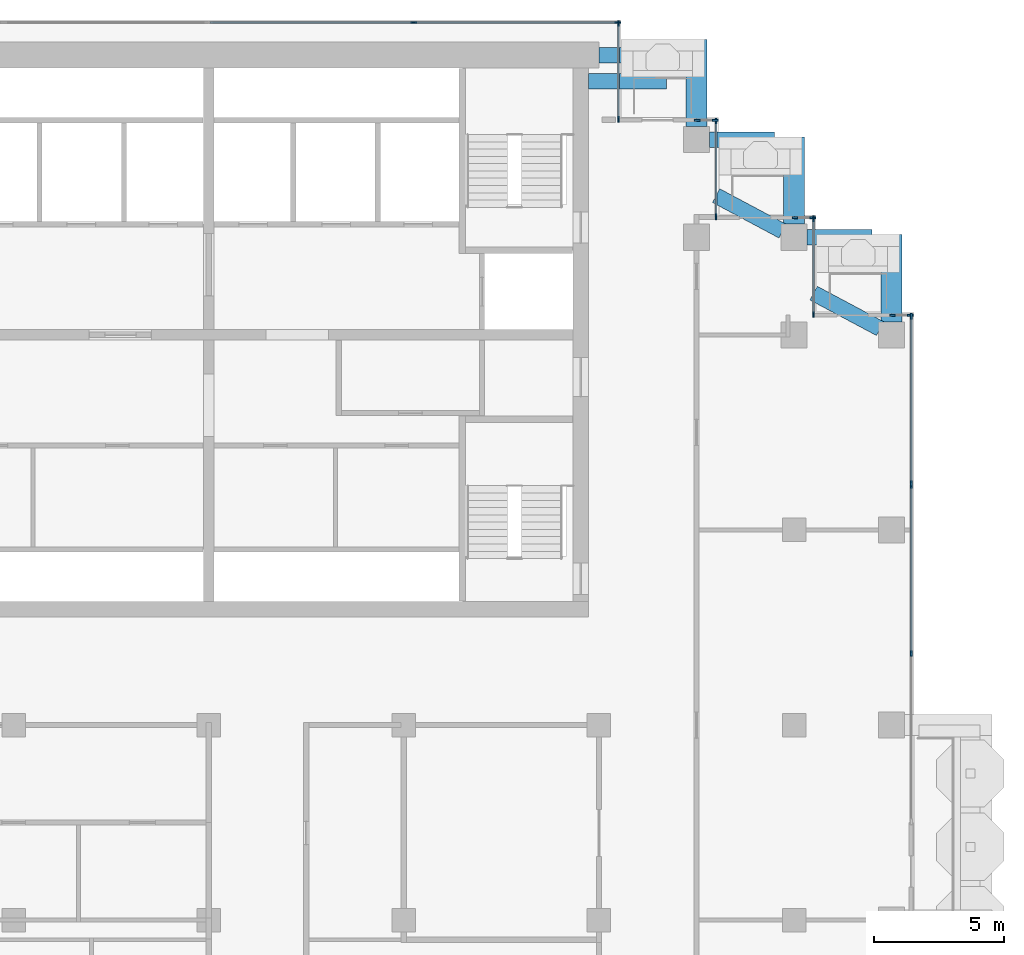
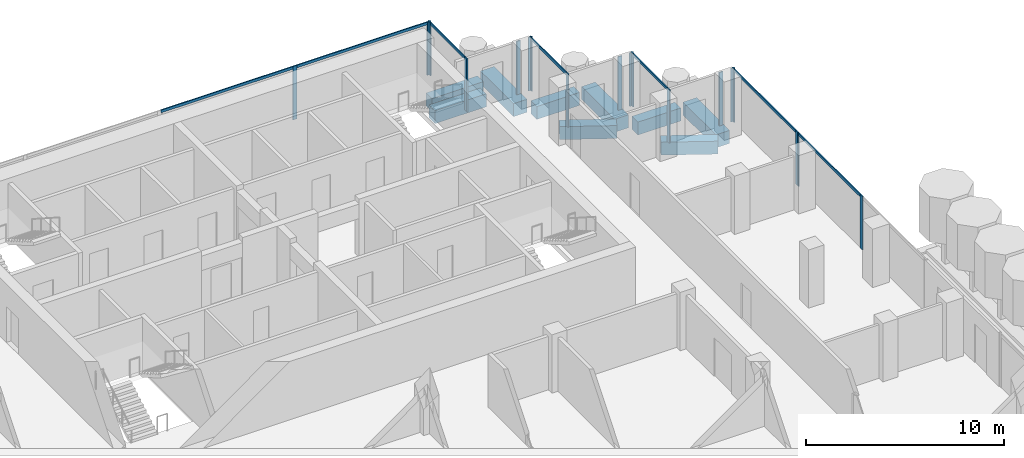
# One storey, part 6 of 18: 25 members, 9 beams, 9 elements without a shape of their own.
"""IFC4 building model written with IfcOpenShell, lengths in metres."""

from ifc_helpers import new_model, si_unit, direction, frame, origin, origin_2d, place, context, subcontext, project, spatial, rectangle, extrude, material, material_profile, profile_set, type_object, element, aggregate, save


model = new_model("IFC4")

# Units and contexts
model_context = context("Model", 3, precision=1e-05, world=origin(), true_north=direction((0.0, 1.0)))
body_context = subcontext(model_context, "Body", "Model", "MODEL_VIEW")
ifc_project = project(units=[si_unit("LENGTHUNIT", "METRE"), si_unit("AREAUNIT", "SQUARE_METRE"), si_unit("VOLUMEUNIT", "CUBIC_METRE"), si_unit("PLANEANGLEUNIT", "RADIAN"), si_unit("MASSUNIT", "GRAM", prefix="KILO")], contexts=[model_context])

# Site, building, storey
site_placement = place(None, origin())
site = spatial("IfcSite", under=ifc_project, at=site_placement, CompositionType="ELEMENT")
building_placement = place(site_placement, origin())
building = spatial("IfcBuilding", under=site, at=building_placement, Name="Pilkhan Gate Tower", CompositionType="ELEMENT")
storey_placement = place(building_placement, frame((0.0, 0.0, 199.5)))
storey = spatial("IfcBuildingStorey", under=building, at=storey_placement, Name="L51", CompositionType="ELEMENT", Elevation=199.5)

# Beams
ifc_material_1 = material(Name="Concrete C50/60", Category="concrete")
ifc_material_profile_1 = material_profile(ifc_material_1, rectangle(XDim=0.60009765625, YDim=0.800048828125, at=origin_2d()), Name="RC 600x800")
ifc_profile_set_1 = profile_set([ifc_material_profile_1], Name="Concrete C50/60")
beam_type_1 = type_object("IfcBeamType", Name="Cantilever beam CB1 RC 600x800 C50/60", PredefinedType="BEAM", material=ifc_profile_set_1)
for number, where, z_axis, x_axis, name in (
    (1, (90.0, 93.25, -0.699951171875), (1.0, 0.0, 0.0), (0.0, 1.0, 0.0), "Balcony beam NE.2 L51"),
    (2, (89.60009765625, 92.25, -0.699951171875), (1.0, 0.0, 0.0), (0.0, 1.0, 0.0), "Balcony beam NE.3 L51"),
):
    element("IfcBeam", number, at=place(storey_placement, frame(where, z_axis=z_axis, x_axis=x_axis)), inside=storey, type_object=beam_type_1, Name=name, PredefinedType="BEAM", context=body_context, shape_type="SweptSolid", body=[
        extrude(rectangle(XDim=0.60009765625, YDim=0.800048828125, at=origin_2d()), origin(), (0.0, 0.0, 1.0), 3.0),
    ])
beam_1_placement = place(storey_placement, frame((94.25, 90.0, -0.699951171875), z_axis=(1.0, 0.0, 0.0), x_axis=(0.0, 1.0, 0.0)))
element("IfcBeam", 3, at=beam_1_placement, inside=storey, type_object=beam_type_1, Name="Balcony beam NE1.2 L51", PredefinedType="BEAM", context=body_context, shape_type="SweptSolid", body=[
    extrude(rectangle(XDim=0.60009765625, YDim=0.800048828125, at=origin_2d()), origin(), (0.0, 0.0, 1.0), 2.5),
])
beam_2_placement = place(storey_placement, frame((97.058837890625, 86.4853515625, -0.699951171875), z_axis=(-0.882348280344, 0.470596974251, 0.0), x_axis=(-0.470596974251, -0.882348280344, 0.0)))
element("IfcBeam", 4, at=beam_2_placement, inside=storey, type_object=beam_type_1, Name="Balcony beam NE1.3 L51", PredefinedType="BEAM", context=body_context, shape_type="SweptSolid", body=[
    extrude(rectangle(XDim=0.60009765625, YDim=0.800048828125, at=origin_2d()), origin(), (0.0, 0.0, 1.0), 2.900146484375),
])
beam_3_placement = place(storey_placement, frame((98.0, 86.25, -0.699951171875), z_axis=(1.0, 0.0, 0.0), x_axis=(0.0, 1.0, 0.0)))
element("IfcBeam", 5, at=beam_3_placement, inside=storey, type_object=beam_type_1, Name="Balcony beam NE2.2 L51", PredefinedType="BEAM", context=body_context, shape_type="SweptSolid", body=[
    extrude(rectangle(XDim=0.60009765625, YDim=0.800048828125, at=origin_2d()), origin(), (0.0, 0.0, 1.0), 2.5),
])
beam_4_placement = place(storey_placement, frame((100.808837890625, 82.7353515625, -0.699951171875), z_axis=(-0.882348280344, 0.470596974251, 0.0), x_axis=(-0.470596974251, -0.882348280344, 0.0)))
element("IfcBeam", 6, at=beam_4_placement, inside=storey, type_object=beam_type_1, Name="Balcony beam NE2.3 L51", PredefinedType="BEAM", context=body_context, shape_type="SweptSolid", body=[
    extrude(rectangle(XDim=0.60009765625, YDim=0.800048828125, at=origin_2d()), origin(), (0.0, 0.0, 1.0), 2.900146484375),
])
ifc_material_profile_2 = material_profile(ifc_material_1, rectangle(XDim=0.800048828125, YDim=0.800048828125, at=origin_2d()), Name="RC 800x800")
ifc_profile_set_2 = profile_set([ifc_material_profile_2], Name="Concrete C50/60")
beam_type_2 = type_object("IfcBeamType", Name="Cantilever beam CB2 RC 800x800 C50/60", PredefinedType="BEAM", material=ifc_profile_set_2)
for number, where, z_axis, x_axis, name in (
    (7, (93.75, 90.5, -0.699951171875), (0.0, 1.0, 0.0), (-1.0, 0.0, 0.0), "Balcony beam NE.1 L51"),
    (8, (97.5, 86.75, -0.699951171875), (0.0, 1.0, 0.0), (-1.0, 0.0, 0.0), "Balcony beam NE1.1 L51"),
    (9, (101.25, 83.0, -0.699951171875), (0.0, 1.0, 0.0), (-1.0, 0.0, 0.0), "Balcony beam NE2.1 L51"),
):
    element("IfcBeam", number, at=place(storey_placement, frame(where, z_axis=z_axis, x_axis=x_axis)), inside=storey, type_object=beam_type_2, Name=name, PredefinedType="BEAM", context=body_context, shape_type="SweptSolid", body=[
        extrude(rectangle(XDim=0.800048828125, YDim=0.800048828125, at=origin_2d()), origin(), (0.0, 0.0, 1.0), 3.35009765625),
    ])

# Curtain wall, members
ifc_material_2 = material(Name="Pale anodised aluminium, clear low-iron double glazing", Category="aluminium")
curtain_wall_type = type_object("IfcCurtainWallType", Name="Office unitised curtain wall CW-O2", PredefinedType="USERDEFINED", material=ifc_material_2)
curtain_wall_1_placement = place(storey_placement, origin())
curtain_wall_1 = element("IfcCurtainWall", 10, at=curtain_wall_1_placement, inside=storey, type_object=curtain_wall_type, Name="Office unitised curtain wall CW-O2 L51 E", ObjectType="UNITISED CURTAIN WALL", PredefinedType="USERDEFINED")
ifc_material_3 = material(Name="Pale anodised aluminium", Category="aluminium")
ifc_material_profile_3 = material_profile(ifc_material_3, rectangle(XDim=0.06494140625, YDim=0.22509765625, at=origin_2d()), Name="Mullion 225x65")
ifc_profile_set_3 = profile_set([ifc_material_profile_3], Name="Pale anodised aluminium")
member_type_1 = type_object("IfcMemberType", Name="Mullion CW-O2 225x65", PredefinedType="MULLION", material=ifc_profile_set_3)
member_1_placement = place(storey_placement, frame((102.0, 70.25, 0.0), z_axis=(0.0, 0.0, 1.0), x_axis=(-1.0, 0.0, 0.0)))
member_1 = element("IfcMember", 11, at=member_1_placement, type_object=member_type_1, Name="CW-O2 mullion 2", PredefinedType="MULLION", context=body_context, shape_type="SweptSolid", body=[
    extrude(rectangle(XDim=0.06494140625, YDim=0.22509765625, at=origin_2d()), origin(), (0.0, 0.0, 1.0), 3.300048828125),
])
member_2_placement = place(storey_placement, frame((102.0, 76.717529296875, 0.0), z_axis=(0.0, 0.0, 1.0), x_axis=(-1.0, 0.0, 0.0)))
member_2 = element("IfcMember", 12, at=member_2_placement, type_object=member_type_1, Name="CW-O2 mullion 3", PredefinedType="MULLION", context=body_context, shape_type="SweptSolid", body=[
    extrude(rectangle(XDim=0.06494140625, YDim=0.22509765625, at=origin_2d()), origin(), (0.0, 0.0, 1.0), 3.300048828125),
])

curtain_wall_2_placement = place(storey_placement, origin())
curtain_wall_2 = element("IfcCurtainWall", 13, at=curtain_wall_2_placement, inside=storey, type_object=curtain_wall_type, Name="Office unitised curtain wall CW-O2 L51 E", ObjectType="UNITISED CURTAIN WALL", PredefinedType="USERDEFINED")
member_3_placement = place(storey_placement, frame((102.0, 76.782470703125, 0.0), z_axis=(0.0, 0.0, 1.0), x_axis=(-1.0, 0.0, 0.0)))
member_3 = element("IfcMember", 14, at=member_3_placement, type_object=member_type_1, Name="CW-O2 mullion 1", PredefinedType="MULLION", context=body_context, shape_type="SweptSolid", body=[
    extrude(rectangle(XDim=0.06494140625, YDim=0.22509765625, at=origin_2d()), origin(), (0.0, 0.0, 1.0), 3.300048828125),
])
member_4_placement = place(storey_placement, frame((102.0, 83.217529296875, 0.0), z_axis=(0.0, 0.0, 1.0), x_axis=(-1.0, 0.0, 0.0)))
member_4 = element("IfcMember", 15, at=member_4_placement, type_object=member_type_1, Name="CW-O2 mullion 2", PredefinedType="MULLION", context=body_context, shape_type="SweptSolid", body=[
    extrude(rectangle(XDim=0.06494140625, YDim=0.22509765625, at=origin_2d()), origin(), (0.0, 0.0, 1.0), 3.300048828125),
])

curtain_wall_3_placement = place(storey_placement, origin())
curtain_wall_3 = element("IfcCurtainWall", 16, at=curtain_wall_3_placement, inside=storey, type_object=curtain_wall_type, Name="Office unitised curtain wall CW-O2 L51 N", ObjectType="UNITISED CURTAIN WALL", PredefinedType="USERDEFINED")
member_5_placement = place(storey_placement, frame((101.282470703125, 83.25, 0.0), z_axis=(0.0, 0.0, 1.0), x_axis=(0.0, 1.0, 0.0)))
member_5 = element("IfcMember", 17, at=member_5_placement, type_object=member_type_1, Name="CW-O2 mullion 1", PredefinedType="MULLION", context=body_context, shape_type="SweptSolid", body=[
    extrude(rectangle(XDim=0.06494140625, YDim=0.22509765625, at=origin_2d()), origin(), (0.0, 0.0, 1.0), 3.300048828125),
])
member_6_placement = place(storey_placement, frame((101.967529296875, 83.25, 0.0), z_axis=(0.0, 0.0, 1.0), x_axis=(0.0, 1.0, 0.0)))
member_6 = element("IfcMember", 18, at=member_6_placement, type_object=member_type_1, Name="CW-O2 mullion 2", PredefinedType="MULLION", context=body_context, shape_type="SweptSolid", body=[
    extrude(rectangle(XDim=0.06494140625, YDim=0.22509765625, at=origin_2d()), origin(), (0.0, 0.0, 1.0), 3.300048828125),
])
aggregate(curtain_wall_3, [member_5, member_6])

curtain_wall_4_placement = place(storey_placement, origin())
curtain_wall_4 = element("IfcCurtainWall", 19, at=curtain_wall_4_placement, inside=storey, type_object=curtain_wall_type, Name="Office unitised curtain wall CW-O2 L51 E", ObjectType="UNITISED CURTAIN WALL", PredefinedType="USERDEFINED")
member_7_placement = place(storey_placement, frame((98.25, 83.282470703125, 0.0), z_axis=(0.0, 0.0, 1.0), x_axis=(-1.0, 0.0, 0.0)))
member_7 = element("IfcMember", 20, at=member_7_placement, type_object=member_type_1, Name="CW-O2 mullion 1", PredefinedType="MULLION", context=body_context, shape_type="SweptSolid", body=[
    extrude(rectangle(XDim=0.06494140625, YDim=0.22509765625, at=origin_2d()), origin(), (0.0, 0.0, 1.0), 3.300048828125),
])
member_8_placement = place(storey_placement, frame((98.25, 86.967529296875, 0.0), z_axis=(0.0, 0.0, 1.0), x_axis=(-1.0, 0.0, 0.0)))
member_8 = element("IfcMember", 21, at=member_8_placement, type_object=member_type_1, Name="CW-O2 mullion 2", PredefinedType="MULLION", context=body_context, shape_type="SweptSolid", body=[
    extrude(rectangle(XDim=0.06494140625, YDim=0.22509765625, at=origin_2d()), origin(), (0.0, 0.0, 1.0), 3.300048828125),
])

curtain_wall_5_placement = place(storey_placement, origin())
curtain_wall_5 = element("IfcCurtainWall", 22, at=curtain_wall_5_placement, inside=storey, type_object=curtain_wall_type, Name="Office unitised curtain wall CW-O2 L51 N", ObjectType="UNITISED CURTAIN WALL", PredefinedType="USERDEFINED")
member_9_placement = place(storey_placement, frame((97.532470703125, 87.0, 0.0), z_axis=(0.0, 0.0, 1.0), x_axis=(0.0, 1.0, 0.0)))
member_9 = element("IfcMember", 23, at=member_9_placement, type_object=member_type_1, Name="CW-O2 mullion 1", PredefinedType="MULLION", context=body_context, shape_type="SweptSolid", body=[
    extrude(rectangle(XDim=0.06494140625, YDim=0.22509765625, at=origin_2d()), origin(), (0.0, 0.0, 1.0), 3.300048828125),
])
member_10_placement = place(storey_placement, frame((98.217529296875, 87.0, 0.0), z_axis=(0.0, 0.0, 1.0), x_axis=(0.0, 1.0, 0.0)))
member_10 = element("IfcMember", 24, at=member_10_placement, type_object=member_type_1, Name="CW-O2 mullion 2", PredefinedType="MULLION", context=body_context, shape_type="SweptSolid", body=[
    extrude(rectangle(XDim=0.06494140625, YDim=0.22509765625, at=origin_2d()), origin(), (0.0, 0.0, 1.0), 3.300048828125),
])
aggregate(curtain_wall_5, [member_9, member_10])

curtain_wall_6_placement = place(storey_placement, origin())
curtain_wall_6 = element("IfcCurtainWall", 25, at=curtain_wall_6_placement, inside=storey, type_object=curtain_wall_type, Name="Office unitised curtain wall CW-O2 L51 E", ObjectType="UNITISED CURTAIN WALL", PredefinedType="USERDEFINED")
member_11_placement = place(storey_placement, frame((94.5, 87.032470703125, 0.0), z_axis=(0.0, 0.0, 1.0), x_axis=(-1.0, 0.0, 0.0)))
member_11 = element("IfcMember", 26, at=member_11_placement, type_object=member_type_1, Name="CW-O2 mullion 1", PredefinedType="MULLION", context=body_context, shape_type="SweptSolid", body=[
    extrude(rectangle(XDim=0.06494140625, YDim=0.22509765625, at=origin_2d()), origin(), (0.0, 0.0, 1.0), 3.300048828125),
])
member_12_placement = place(storey_placement, frame((94.5, 90.717529296875, 0.0), z_axis=(0.0, 0.0, 1.0), x_axis=(-1.0, 0.0, 0.0)))
member_12 = element("IfcMember", 27, at=member_12_placement, type_object=member_type_1, Name="CW-O2 mullion 2", PredefinedType="MULLION", context=body_context, shape_type="SweptSolid", body=[
    extrude(rectangle(XDim=0.06494140625, YDim=0.22509765625, at=origin_2d()), origin(), (0.0, 0.0, 1.0), 3.300048828125),
])

curtain_wall_7_placement = place(storey_placement, origin())
curtain_wall_7 = element("IfcCurtainWall", 28, at=curtain_wall_7_placement, inside=storey, type_object=curtain_wall_type, Name="Office unitised curtain wall CW-O2 L51 N", ObjectType="UNITISED CURTAIN WALL", PredefinedType="USERDEFINED")
member_13_placement = place(storey_placement, frame((93.782470703125, 90.75, 0.0), z_axis=(0.0, 0.0, 1.0), x_axis=(0.0, 1.0, 0.0)))
member_13 = element("IfcMember", 29, at=member_13_placement, type_object=member_type_1, Name="CW-O2 mullion 1", PredefinedType="MULLION", context=body_context, shape_type="SweptSolid", body=[
    extrude(rectangle(XDim=0.06494140625, YDim=0.22509765625, at=origin_2d()), origin(), (0.0, 0.0, 1.0), 3.300048828125),
])
member_14_placement = place(storey_placement, frame((94.467529296875, 90.75, 0.0), z_axis=(0.0, 0.0, 1.0), x_axis=(0.0, 1.0, 0.0)))
member_14 = element("IfcMember", 30, at=member_14_placement, type_object=member_type_1, Name="CW-O2 mullion 2", PredefinedType="MULLION", context=body_context, shape_type="SweptSolid", body=[
    extrude(rectangle(XDim=0.06494140625, YDim=0.22509765625, at=origin_2d()), origin(), (0.0, 0.0, 1.0), 3.300048828125),
])
aggregate(curtain_wall_7, [member_13, member_14])

curtain_wall_8_placement = place(storey_placement, origin())
curtain_wall_8 = element("IfcCurtainWall", 31, at=curtain_wall_8_placement, inside=storey, type_object=curtain_wall_type, Name="Office unitised curtain wall CW-O2 L51 E", ObjectType="UNITISED CURTAIN WALL", PredefinedType="USERDEFINED")
member_15_placement = place(storey_placement, frame((90.75, 90.782470703125, 0.0), z_axis=(0.0, 0.0, 1.0), x_axis=(-1.0, 0.0, 0.0)))
member_15 = element("IfcMember", 32, at=member_15_placement, type_object=member_type_1, Name="CW-O2 mullion 1", PredefinedType="MULLION", context=body_context, shape_type="SweptSolid", body=[
    extrude(rectangle(XDim=0.06494140625, YDim=0.22509765625, at=origin_2d()), origin(), (0.0, 0.0, 1.0), 3.300048828125),
])
member_16_placement = place(storey_placement, frame((90.75, 94.467529296875, 0.0), z_axis=(0.0, 0.0, 1.0), x_axis=(-1.0, 0.0, 0.0)))
member_16 = element("IfcMember", 33, at=member_16_placement, type_object=member_type_1, Name="CW-O2 mullion 2", PredefinedType="MULLION", context=body_context, shape_type="SweptSolid", body=[
    extrude(rectangle(XDim=0.06494140625, YDim=0.22509765625, at=origin_2d()), origin(), (0.0, 0.0, 1.0), 3.300048828125),
])

curtain_wall_9_placement = place(storey_placement, origin())
curtain_wall_9 = element("IfcCurtainWall", 34, at=curtain_wall_9_placement, inside=storey, type_object=curtain_wall_type, Name="Office unitised curtain wall CW-O2 L51 N", ObjectType="UNITISED CURTAIN WALL", PredefinedType="USERDEFINED")
member_17_placement = place(storey_placement, frame((82.875, 94.5, 0.0), z_axis=(0.0, 0.0, 1.0), x_axis=(0.0, 1.0, 0.0)))
member_17 = element("IfcMember", 35, at=member_17_placement, type_object=member_type_1, Name="CW-O2 mullion 2", PredefinedType="MULLION", context=body_context, shape_type="SweptSolid", body=[
    extrude(rectangle(XDim=0.06494140625, YDim=0.22509765625, at=origin_2d()), origin(), (0.0, 0.0, 1.0), 3.300048828125),
])
member_18_placement = place(storey_placement, frame((90.717529296875, 94.5, 0.0), z_axis=(0.0, 0.0, 1.0), x_axis=(0.0, 1.0, 0.0)))
member_18 = element("IfcMember", 36, at=member_18_placement, type_object=member_type_1, Name="CW-O2 mullion 3", PredefinedType="MULLION", context=body_context, shape_type="SweptSolid", body=[
    extrude(rectangle(XDim=0.06494140625, YDim=0.22509765625, at=origin_2d()), origin(), (0.0, 0.0, 1.0), 3.300048828125),
])

# Member
ifc_material_profile_4 = material_profile(ifc_material_3, rectangle(XDim=0.06494140625, YDim=0.1650390625, at=origin_2d()), Name="Transom 165x65")
ifc_profile_set_4 = profile_set([ifc_material_profile_4], Name="Pale anodised aluminium")
member_type_2 = type_object("IfcMemberType", Name="Transom CW-O2 165x65", PredefinedType="USERDEFINED", material=ifc_profile_set_4)
member_19_placement = place(storey_placement, frame((102.0, 70.282470703125, 3.217529296875), z_axis=(0.0, 1.0, 0.0), x_axis=(-1.0, 0.0, 0.0)))
member_19 = element("IfcMember", 37, at=member_19_placement, type_object=member_type_2, Name="CW-O2 transom 2", ObjectType="TRANSOM", PredefinedType="USERDEFINED", context=body_context, shape_type="SweptSolid", body=[
    extrude(rectangle(XDim=0.06494140625, YDim=0.1650390625, at=origin_2d()), origin(), (0.0, 0.0, 1.0), 6.402587890625),
])

aggregate(curtain_wall_1, [member_1, member_2, member_19])

member_20_placement = place(storey_placement, frame((102.0, 76.81494140625, 3.217529296875), z_axis=(0.0, 1.0, 0.0), x_axis=(-1.0, 0.0, 0.0)))
member_20 = element("IfcMember", 38, at=member_20_placement, type_object=member_type_2, Name="CW-O2 transom 1", ObjectType="TRANSOM", PredefinedType="USERDEFINED", context=body_context, shape_type="SweptSolid", body=[
    extrude(rectangle(XDim=0.06494140625, YDim=0.1650390625, at=origin_2d()), origin(), (0.0, 0.0, 1.0), 6.3701171875),
])

aggregate(curtain_wall_2, [member_3, member_4, member_20])

member_21_placement = place(storey_placement, frame((98.25, 83.31494140625, 3.217529296875), z_axis=(0.0, 1.0, 0.0), x_axis=(-1.0, 0.0, 0.0)))
member_21 = element("IfcMember", 39, at=member_21_placement, type_object=member_type_2, Name="CW-O2 transom 1", ObjectType="TRANSOM", PredefinedType="USERDEFINED", context=body_context, shape_type="SweptSolid", body=[
    extrude(rectangle(XDim=0.06494140625, YDim=0.1650390625, at=origin_2d()), origin(), (0.0, 0.0, 1.0), 3.6201171875),
])

aggregate(curtain_wall_4, [member_7, member_8, member_21])

member_22_placement = place(storey_placement, frame((94.5, 87.06494140625, 3.217529296875), z_axis=(0.0, 1.0, 0.0), x_axis=(-1.0, 0.0, 0.0)))
member_22 = element("IfcMember", 40, at=member_22_placement, type_object=member_type_2, Name="CW-O2 transom 1", ObjectType="TRANSOM", PredefinedType="USERDEFINED", context=body_context, shape_type="SweptSolid", body=[
    extrude(rectangle(XDim=0.06494140625, YDim=0.1650390625, at=origin_2d()), origin(), (0.0, 0.0, 1.0), 3.6201171875),
])

aggregate(curtain_wall_6, [member_11, member_12, member_22])

member_23_placement = place(storey_placement, frame((90.75, 90.81494140625, 3.217529296875), z_axis=(0.0, 1.0, 0.0), x_axis=(-1.0, 0.0, 0.0)))
member_23 = element("IfcMember", 41, at=member_23_placement, type_object=member_type_2, Name="CW-O2 transom 1", ObjectType="TRANSOM", PredefinedType="USERDEFINED", context=body_context, shape_type="SweptSolid", body=[
    extrude(rectangle(XDim=0.06494140625, YDim=0.1650390625, at=origin_2d()), origin(), (0.0, 0.0, 1.0), 3.6201171875),
])

aggregate(curtain_wall_8, [member_15, member_16, member_23])

member_24_placement = place(storey_placement, frame((75.06494140625, 94.5, 3.217529296875), z_axis=(1.0, 0.0, 0.0), x_axis=(0.0, 1.0, 0.0)))
member_24 = element("IfcMember", 42, at=member_24_placement, type_object=member_type_2, Name="CW-O2 transom 1", ObjectType="TRANSOM", PredefinedType="USERDEFINED", context=body_context, shape_type="SweptSolid", body=[
    extrude(rectangle(XDim=0.06494140625, YDim=0.1650390625, at=origin_2d()), origin(), (0.0, 0.0, 1.0), 7.777587890625),
])

member_25_placement = place(storey_placement, frame((82.907470703125, 94.5, 3.217529296875), z_axis=(1.0, 0.0, 0.0), x_axis=(0.0, 1.0, 0.0)))
member_25 = element("IfcMember", 43, at=member_25_placement, type_object=member_type_2, Name="CW-O2 transom 2", ObjectType="TRANSOM", PredefinedType="USERDEFINED", context=body_context, shape_type="SweptSolid", body=[
    extrude(rectangle(XDim=0.06494140625, YDim=0.1650390625, at=origin_2d()), origin(), (0.0, 0.0, 1.0), 7.777587890625),
])

aggregate(curtain_wall_9, [member_17, member_18, member_24, member_25])

save(model, "model.ifc")
